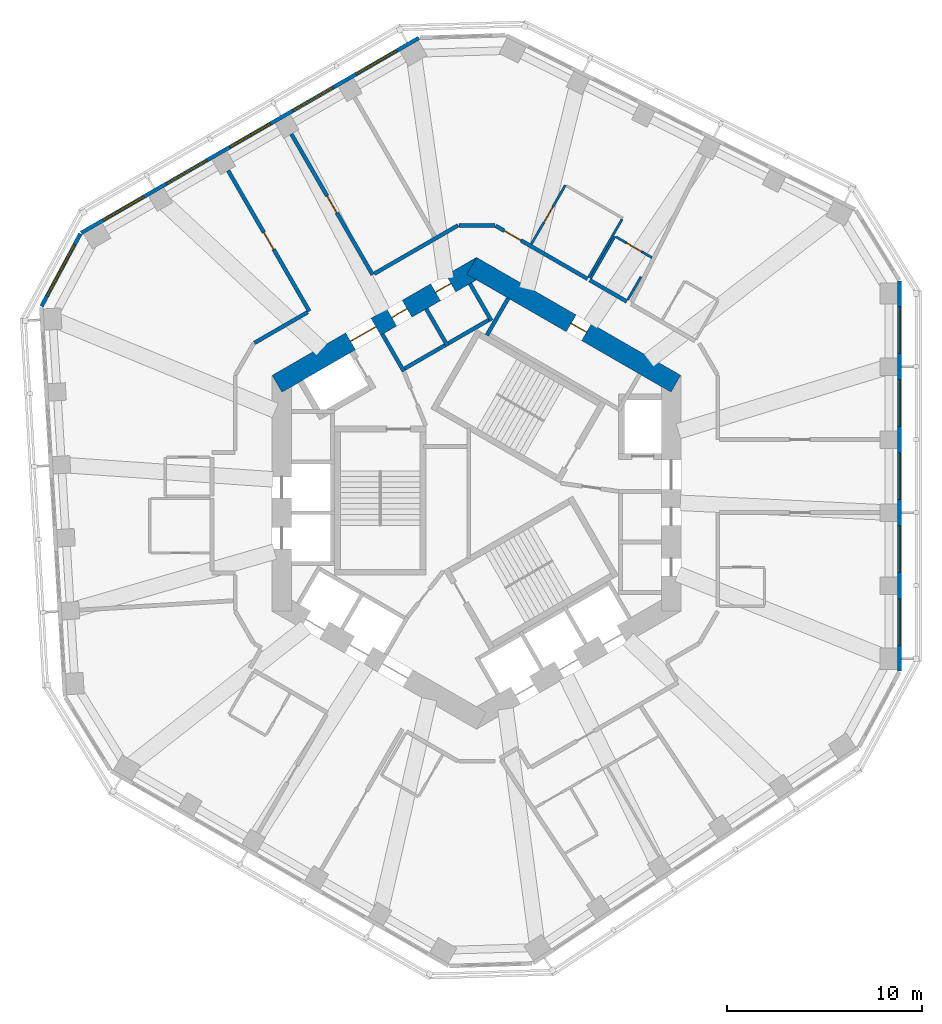
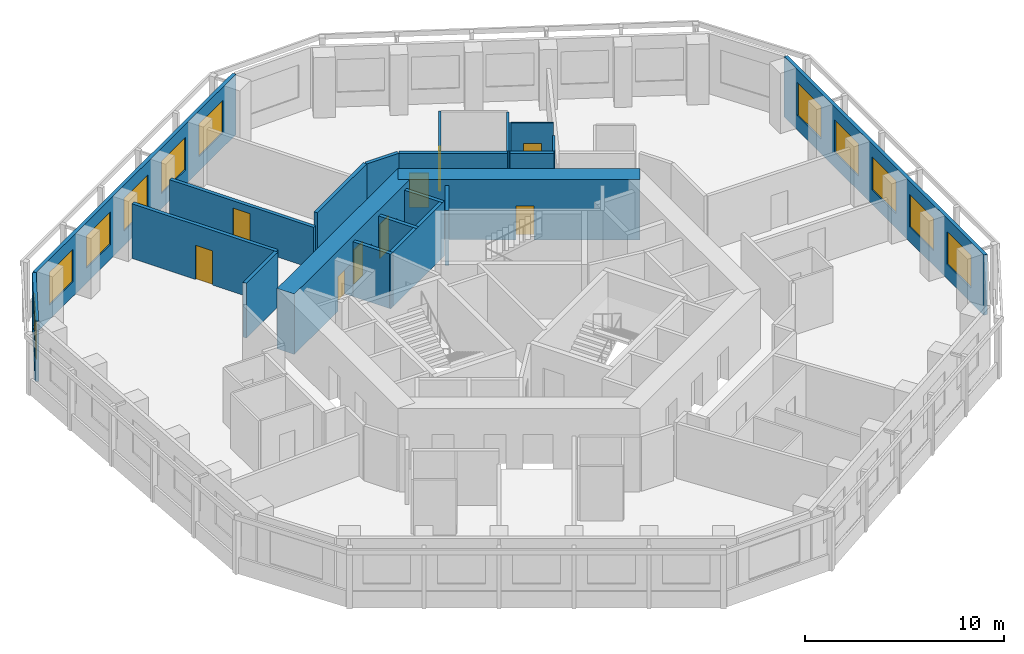
# One storey, part 7 of 11: 22 walls, 11 windows, 9 doors, 20 openings.
"""IFC4 building model written with IfcOpenShell, lengths in metres."""

from ifc_helpers import new_model, si_unit, direction, frame, frame_2d, origin, place, context, subcontext, project, spatial, rectangle, extrude, material, layer, layer_set, type_object, element, fill, save


model = new_model("IFC4")

# Units and contexts
model_context = context("Model", 3, precision=1e-05, world=origin(), true_north=direction((0.0, 1.0)))
body_context = subcontext(model_context, "Body", "Model", "MODEL_VIEW")
ifc_project = project(units=[si_unit("LENGTHUNIT", "METRE"), si_unit("AREAUNIT", "SQUARE_METRE"), si_unit("VOLUMEUNIT", "CUBIC_METRE"), si_unit("PLANEANGLEUNIT", "RADIAN"), si_unit("MASSUNIT", "GRAM", prefix="KILO")], contexts=[model_context])

# Site, building, storey
site_placement = place(None, origin())
site = spatial("IfcSite", under=ifc_project, at=site_placement, CompositionType="ELEMENT")
building_placement = place(site_placement, origin())
building = spatial("IfcBuilding", under=site, at=building_placement, Name="Vanh Sen Convention Tower", CompositionType="ELEMENT")
storey_placement = place(building_placement, frame((0.0, 0.0, 202.10009765625)))
storey = spatial("IfcBuildingStorey", under=building, at=storey_placement, Name="L50", CompositionType="ELEMENT", Elevation=202.10009765625)

# Wall, opening, door
ifc_material_1 = material(Name="Moisture-resistant gypsum board on steel studs", Category="steel")
ifc_layer_1 = layer(ifc_material_1, 0.1201171875)
ifc_layer_set_1 = layer_set([ifc_layer_1], Name="Moisture-resistant gypsum board on steel studs")
wall_type_1 = type_object("IfcWallType", Name="Bathroom partition 120", PredefinedType="PARTITIONING", material=ifc_layer_set_1)
wall_1_placement = place(storey_placement, frame((2.81884765625, 12.806396484375, 0.0), z_axis=(0.0, 0.0, 1.0), x_axis=(0.500010275428, 0.866019471182, 0.0)))
wall_1 = element("IfcWall", 1, at=wall_1_placement, inside=storey, type_object=wall_type_1, Name="Bathroom partition 120", PredefinedType="PARTITIONING", context=body_context, shape_type="SweptSolid", body=[
    extrude(rectangle(XDim=3.5, YDim=0.1201171875, at=frame_2d((1.75, 0.0))), origin(), (0.0, 0.0, 1.0), 3.349853515625),
])
opening_1_placement = place(wall_1_placement, frame((1.300048828125, 0.0, 0.0)))
opening_1 = element("IfcOpeningElement", 2, at=opening_1_placement, cuts=wall_1, Name="Opening D49105", PredefinedType="OPENING", context=body_context, shape_type="SweptSolid", body=[
    extrude(rectangle(XDim=0.89990234375, YDim=2.10009765625, at=frame_2d((0.449951171875, 1.050048828125))), frame((0.0, 0.070068359375, 0.0), z_axis=(0.0, -1.0, 0.0), x_axis=(1.0, 0.0, 0.0)), (0.0, 0.0, 1.0), 0.14013671875),
])
ifc_material_2 = material(Name="Laminate door in steel frame", Category="steel")
door_type_1 = type_object("IfcDoorType", Name="Room internal door 900", OperationType="SINGLE_SWING_LEFT", PredefinedType="DOOR", material=ifc_material_2)
door_1_placement = place(opening_1_placement, origin())
door_1 = element("IfcDoor", 3, at=door_1_placement, inside=storey, type_object=door_type_1, Name="Internal room door D49105", OperationType="SINGLE_SWING_LEFT", OverallHeight=2.10009765625, OverallWidth=0.89990234375, PredefinedType="DOOR", context=body_context, shape_type="SweptSolid", body=[
    extrude(rectangle(XDim=0.89990234375, YDim=2.10009765625, at=frame_2d((0.449951171875, 1.050048828125))), frame((0.0, 0.02490234375, 0.0), z_axis=(0.0, -1.0, 0.0), x_axis=(1.0, 0.0, 0.0)), (0.0, 0.0, 1.0), 0.050048828125),
])
fill(opening_1, door_1)

# Wall
wall_2_placement = place(storey_placement, frame((5.8671875, 11.04638671875, 0.0), z_axis=(0.0, 0.0, 1.0), x_axis=(0.500004234368, 0.866022959057, 0.0)))
element("IfcWall", 4, at=wall_2_placement, inside=storey, type_object=wall_type_1, Name="Bathroom partition 120", PredefinedType="PARTITIONING", context=body_context, shape_type="SweptSolid", body=[
    extrude(rectangle(XDim=2.5, YDim=0.1201171875, at=frame_2d((1.25, 0.0))), origin(), (0.0, 0.0, 1.0), 3.349853515625),
])

# Wall, opening, door
wall_3_placement = place(storey_placement, frame((7.169189453125, 13.181396484375, 0.0), z_axis=(0.0, 0.0, 1.0), x_axis=(0.866048165231, -0.499960573946, 0.0)))
wall_3 = element("IfcWall", 5, at=wall_3_placement, inside=storey, type_object=wall_type_1, Name="Bathroom partition 120", PredefinedType="PARTITIONING", context=body_context, shape_type="SweptSolid", body=[
    extrude(rectangle(XDim=2.130126953125, YDim=0.1201171875, at=frame_2d((1.06494140625, 0.0))), origin(), (0.0, 0.0, 1.0), 3.349853515625),
])
opening_2_placement = place(wall_3_placement, frame((0.614990234375, 0.0, 0.0)))
opening_2 = element("IfcOpeningElement", 6, at=opening_2_placement, cuts=wall_3, Name="Opening D49104", PredefinedType="OPENING", context=body_context, shape_type="SweptSolid", body=[
    extrude(rectangle(XDim=0.89990234375, YDim=2.10009765625, at=frame_2d((0.449951171875, 1.050048828125))), frame((0.0, 0.070068359375, 0.0), z_axis=(0.0, -1.0, 0.0), x_axis=(1.0, 0.0, 0.0)), (0.0, 0.0, 1.0), 0.14013671875),
])
door_2_placement = place(opening_2_placement, origin())
door_2 = element("IfcDoor", 7, at=door_2_placement, inside=storey, type_object=door_type_1, Name="Internal room door D49104", OperationType="SINGLE_SWING_LEFT", OverallHeight=2.10009765625, OverallWidth=0.89990234375, PredefinedType="DOOR", context=body_context, shape_type="SweptSolid", body=[
    extrude(rectangle(XDim=0.89990234375, YDim=2.10009765625, at=frame_2d((0.449951171875, 1.050048828125))), frame((0.0, 0.02490234375, 0.0), z_axis=(0.0, -1.0, 0.0), x_axis=(1.0, 0.0, 0.0)), (0.0, 0.0, 1.0), 0.050048828125),
])
fill(opening_2, door_2)

# Walls
wall_4_placement = place(storey_placement, frame((7.4833984375, 14.08544921875, 0.0), z_axis=(0.0, 0.0, 1.0), x_axis=(-0.499978425106, -0.866037859697, 0.0)))
element("IfcWall", 8, at=wall_4_placement, inside=storey, type_object=wall_type_1, Name="Bathroom partition 120", PredefinedType="PARTITIONING", context=body_context, shape_type="SweptSolid", body=[
    extrude(rectangle(XDim=3.440185546875, YDim=0.1201171875, at=frame_2d((1.72021484375, 0.0))), origin(), (0.0, 0.0, 1.0), 3.349853515625),
])
wall_5_placement = place(storey_placement, frame((8.45703125, 11.131591796875, 0.0), z_axis=(0.0, 0.0, 1.0), x_axis=(-0.500129009956, -0.865950907038, 0.0)))
element("IfcWall", 9, at=wall_5_placement, inside=storey, type_object=wall_type_1, Name="Bathroom partition 120", PredefinedType="PARTITIONING", context=body_context, shape_type="SweptSolid", body=[
    extrude(rectangle(XDim=1.368896484375, YDim=0.1201171875, at=frame_2d((0.6845703125, 0.0))), origin(), (0.0, 0.0, 1.0), 3.349853515625),
])

# Wall, opening, door
ifc_material_3 = material(Name="Concrete C80/95", Category="concrete")
ifc_layer_2 = layer(ifc_material_3, 1.0)
ifc_layer_set_2 = layer_set([ifc_layer_2], Name="Concrete C80/95")
wall_type_2 = type_object("IfcWallType", Name="Core outer wall 1000 C80/95", PredefinedType="SHEAR", material=ifc_layer_set_2)
wall_6_placement = place(storey_placement, frame((10.25, 5.629150390625, 0.0), z_axis=(0.0, 0.0, 1.0), x_axis=(-0.866022616891, 0.50000482701, 0.0)))
wall_6 = element("IfcWall", 10, at=wall_6_placement, inside=storey, type_object=wall_type_2, Name="Core wall face NE L50", PredefinedType="SHEAR", context=body_context, shape_type="SweptSolid", body=[
    extrude(rectangle(XDim=12.12451171875, YDim=1.0, at=frame_2d((6.062255859375, 0.0))), origin(), (0.0, 0.0, 1.0), 3.699951171875),
])
opening_3_placement = place(wall_6_placement, frame((5.312255859375, 0.0, 0.0)))
opening_3 = element("IfcOpeningElement", 11, at=opening_3_placement, cuts=wall_6, Name="Opening D49012", PredefinedType="OPENING", context=body_context, shape_type="SweptSolid", body=[
    extrude(rectangle(XDim=0.89990234375, YDim=2.10009765625, at=frame_2d((0.449951171875, 1.050048828125))), frame((0.0, 0.510009765625, 0.0), z_axis=(0.0, -1.0, 0.0), x_axis=(1.0, 0.0, 0.0)), (0.0, 0.0, 1.0), 1.02001953125),
])
ifc_material_4 = material(Name="Steel S355", Category="steel")
door_type_2 = type_object("IfcDoorType", Name="Plant door 900", OperationType="SINGLE_SWING_LEFT", PredefinedType="DOOR", material=ifc_material_4)
door_3_placement = place(opening_3_placement, origin())
door_3 = element("IfcDoor", 12, at=door_3_placement, inside=storey, type_object=door_type_2, Name="Plant door D49012", OperationType="SINGLE_SWING_LEFT", OverallHeight=2.10009765625, OverallWidth=0.89990234375, PredefinedType="DOOR", context=body_context, shape_type="SweptSolid", body=[
    extrude(rectangle(XDim=0.89990234375, YDim=2.10009765625, at=frame_2d((0.449951171875, 1.050048828125))), frame((0.0, 0.02490234375, 0.0), z_axis=(0.0, -1.0, 0.0), x_axis=(1.0, 0.0, 0.0)), (0.0, 0.0, 1.0), 0.050048828125),
])
fill(opening_3, door_3)

# Wall, openings, doors
wall_7_placement = place(storey_placement, frame((0.25, 11.69140625, 0.0), z_axis=(0.0, 0.0, 1.0), x_axis=(-0.866022616891, -0.50000482701, 0.0)))
wall_7 = element("IfcWall", 13, at=wall_7_placement, inside=storey, type_object=wall_type_2, Name="Core wall face NW L50", PredefinedType="SHEAR", context=body_context, shape_type="SweptSolid", body=[
    extrude(rectangle(XDim=12.12451171875, YDim=1.0, at=frame_2d((6.062255859375, 0.0))), origin(), (0.0, 0.0, 1.0), 3.699951171875),
])
opening_4_placement = place(wall_7_placement, frame((6.26220703125, 0.0, 0.0)))
opening_4 = element("IfcOpeningElement", 14, at=opening_4_placement, cuts=wall_7, Name="Opening D49002", PredefinedType="OPENING", context=body_context, shape_type="SweptSolid", body=[
    extrude(rectangle(XDim=1.5, YDim=2.10009765625, at=frame_2d((0.75, 1.050048828125))), frame((0.0, 0.510009765625, 0.0), z_axis=(0.0, -1.0, 0.0), x_axis=(1.0, 0.0, 0.0)), (0.0, 0.0, 1.0), 1.02001953125),
])
opening_5_placement = place(wall_7_placement, frame((1.812255859375, 0.0, 0.0)))
opening_5 = element("IfcOpeningElement", 15, at=opening_5_placement, cuts=wall_7, Name="Opening D49013", PredefinedType="OPENING", context=body_context, shape_type="SweptSolid", body=[
    extrude(rectangle(XDim=0.89990234375, YDim=2.10009765625, at=frame_2d((0.449951171875, 1.050048828125))), frame((0.0, 0.510009765625, 0.0), z_axis=(0.0, -1.0, 0.0), x_axis=(1.0, 0.0, 0.0)), (0.0, 0.0, 1.0), 1.02001953125),
])
opening_6_placement = place(wall_7_placement, frame((4.412109375, 0.0, 0.0)))
opening_6 = element("IfcOpeningElement", 16, at=opening_6_placement, cuts=wall_7, Name="Opening D49014", PredefinedType="OPENING", context=body_context, shape_type="SweptSolid", body=[
    extrude(rectangle(XDim=0.89990234375, YDim=2.10009765625, at=frame_2d((0.449951171875, 1.050048828125))), frame((0.0, 0.510009765625, 0.0), z_axis=(0.0, -1.0, 0.0), x_axis=(1.0, 0.0, 0.0)), (0.0, 0.0, 1.0), 1.02001953125),
])
door_4_placement = place(opening_5_placement, origin())
door_4 = element("IfcDoor", 17, at=door_4_placement, inside=storey, type_object=door_type_2, Name="Plant door D49013", OperationType="SINGLE_SWING_LEFT", OverallHeight=2.10009765625, OverallWidth=0.89990234375, PredefinedType="DOOR", context=body_context, shape_type="SweptSolid", body=[
    extrude(rectangle(XDim=0.89990234375, YDim=2.10009765625, at=frame_2d((0.449951171875, 1.050048828125))), frame((0.0, 0.02490234375, 0.0), z_axis=(0.0, -1.0, 0.0), x_axis=(1.0, 0.0, 0.0)), (0.0, 0.0, 1.0), 0.050048828125),
])
fill(opening_5, door_4)
door_5_placement = place(opening_6_placement, origin())
door_5 = element("IfcDoor", 18, at=door_5_placement, inside=storey, type_object=door_type_2, Name="Plant door D49014", OperationType="SINGLE_SWING_LEFT", OverallHeight=2.10009765625, OverallWidth=0.89990234375, PredefinedType="DOOR", context=body_context, shape_type="SweptSolid", body=[
    extrude(rectangle(XDim=0.89990234375, YDim=2.10009765625, at=frame_2d((0.449951171875, 1.050048828125))), frame((0.0, 0.02490234375, 0.0), z_axis=(0.0, -1.0, 0.0), x_axis=(1.0, 0.0, 0.0)), (0.0, 0.0, 1.0), 0.050048828125),
])
fill(opening_6, door_5)
door_type_3 = type_object("IfcDoorType", Name="Stair lobby door 1500", OperationType="DOUBLE_DOOR_SINGLE_SWING", PredefinedType="DOOR", material=ifc_material_4)
door_6_placement = place(opening_4_placement, origin())
door_6 = element("IfcDoor", 19, at=door_6_placement, inside=storey, type_object=door_type_3, Name="Stair lobby door D49002", OperationType="DOUBLE_DOOR_SINGLE_SWING", OverallHeight=2.10009765625, OverallWidth=1.5, PredefinedType="DOOR", context=body_context, shape_type="SweptSolid", body=[
    extrude(rectangle(XDim=1.5, YDim=2.10009765625, at=frame_2d((0.75, 1.050048828125))), frame((0.0, 0.02490234375, 0.0), z_axis=(0.0, -1.0, 0.0), x_axis=(1.0, 0.0, 0.0)), (0.0, 0.0, 1.0), 0.050048828125),
])
fill(opening_4, door_6)

# Wall, opening, door
ifc_material_5 = material(Name="Gypsum board on steel studs with mineral wool", Category="steel")
ifc_layer_3 = layer(ifc_material_5, 0.199951171875)
ifc_layer_set_3 = layer_set([ifc_layer_3], Name="Gypsum board on steel studs with mineral wool")
wall_type_3 = type_object("IfcWallType", Name="Corridor partition wall 200", PredefinedType="PARTITIONING", material=ifc_layer_set_3)
wall_8_placement = place(storey_placement, frame((-12.766357421875, 16.58935546875, 0.0), z_axis=(0.0, 0.0, 1.0), x_axis=(0.500010139422, -0.866019549707, 0.0)))
wall_8 = element("IfcWall", 20, at=wall_8_placement, inside=storey, type_object=wall_type_3, Name="Corridor partition wall 200", PredefinedType="PARTITIONING", context=body_context, shape_type="SweptSolid", body=[
    extrude(rectangle(XDim=8.349853515625, YDim=0.199951171875, at=frame_2d((4.1748046875, 0.0))), origin(), (0.0, 0.0, 1.0), 3.349853515625),
])
opening_7_placement = place(wall_8_placement, frame((3.675048828125, 0.0, 0.0)))
opening_7 = element("IfcOpeningElement", 21, at=opening_7_placement, cuts=wall_8, Name="Opening D49107", PredefinedType="OPENING", context=body_context, shape_type="SweptSolid", body=[
    extrude(rectangle(XDim=1.0, YDim=2.10009765625, at=frame_2d((0.5, 1.050048828125))), frame((0.0, 0.10986328125, 0.0), z_axis=(0.0, -1.0, 0.0), x_axis=(1.0, 0.0, 0.0)), (0.0, 0.0, 1.0), 0.219970703125),
])
ifc_material_6 = material(Name="Glazed fire door in steel frame", Category="steel")
door_type_4 = type_object("IfcDoorType", Name="Tenant entrance door 1000", OperationType="SINGLE_SWING_LEFT", PredefinedType="DOOR", material=ifc_material_6)
door_7_placement = place(opening_7_placement, origin())
door_7 = element("IfcDoor", 22, at=door_7_placement, inside=storey, type_object=door_type_4, Name="Tenant suite entrance door D49107", OperationType="SINGLE_SWING_LEFT", OverallHeight=2.10009765625, OverallWidth=1.0, PredefinedType="DOOR", context=body_context, shape_type="SweptSolid", body=[
    extrude(rectangle(XDim=1.0, YDim=2.10009765625, at=frame_2d((0.5, 1.050048828125))), frame((0.0, 0.02490234375, 0.0), z_axis=(0.0, -1.0, 0.0), x_axis=(1.0, 0.0, 0.0)), (0.0, 0.0, 1.0), 0.050048828125),
])
fill(opening_7, door_7)

wall_9_placement = place(storey_placement, frame((-9.51513671875, 18.46630859375, 0.0), z_axis=(0.0, 0.0, 1.0), x_axis=(0.500010139422, -0.866019549707, 0.0)))
wall_9 = element("IfcWall", 23, at=wall_9_placement, inside=storey, type_object=wall_type_3, Name="Corridor partition wall 200", PredefinedType="PARTITIONING", context=body_context, shape_type="SweptSolid", body=[
    extrude(rectangle(XDim=8.349853515625, YDim=0.199951171875, at=frame_2d((4.1748046875, 0.0))), origin(), (0.0, 0.0, 1.0), 2.5498046875),
])
opening_8_placement = place(wall_9_placement, frame((3.675048828125, 0.0, 0.0)))
opening_8 = element("IfcOpeningElement", 24, at=opening_8_placement, cuts=wall_9, Name="Opening D49106", PredefinedType="OPENING", context=body_context, shape_type="SweptSolid", body=[
    extrude(rectangle(XDim=1.0, YDim=2.10009765625, at=frame_2d((0.5, 1.050048828125))), frame((0.0, 0.10986328125, 0.0), z_axis=(0.0, -1.0, 0.0), x_axis=(1.0, 0.0, 0.0)), (0.0, 0.0, 1.0), 0.219970703125),
])
door_8_placement = place(opening_8_placement, origin())
door_8 = element("IfcDoor", 25, at=door_8_placement, inside=storey, type_object=door_type_4, Name="Tenant suite entrance door D49106", OperationType="SINGLE_SWING_LEFT", OverallHeight=2.10009765625, OverallWidth=1.0, PredefinedType="DOOR", context=body_context, shape_type="SweptSolid", body=[
    extrude(rectangle(XDim=1.0, YDim=2.10009765625, at=frame_2d((0.5, 1.050048828125))), frame((0.0, 0.02490234375, 0.0), z_axis=(0.0, -1.0, 0.0), x_axis=(1.0, 0.0, 0.0)), (0.0, 0.0, 1.0), 0.050048828125),
])
fill(opening_8, door_8)

# Walls
wall_10_placement = place(storey_placement, frame((-8.677978515625, 9.30810546875, 0.0), z_axis=(0.0, 0.0, 1.0), x_axis=(-0.866000359435, -0.500043375578, 0.0)))
element("IfcWall", 26, at=wall_10_placement, inside=storey, type_object=wall_type_3, Name="Corridor partition wall 200", PredefinedType="PARTITIONING", context=body_context, shape_type="SweptSolid", body=[
    extrude(rectangle(XDim=3.160888671875, YDim=0.199951171875, at=frame_2d((1.58056640625, 0.0))), origin(), (0.0, 0.0, 1.0), 3.349853515625),
])
wall_11_placement = place(storey_placement, frame((-0.949951171875, 13.769775390625, 0.0), z_axis=(0.0, 0.0, 1.0), x_axis=(-0.866036689987, -0.499980451214, 0.0)))
element("IfcWall", 27, at=wall_11_placement, inside=storey, type_object=wall_type_3, Name="Corridor partition wall 200", PredefinedType="PARTITIONING", context=body_context, shape_type="SweptSolid", body=[
    extrude(rectangle(XDim=4.969482421875, YDim=0.199951171875, at=frame_2d((2.48486328125, 0.0))), origin(), (0.0, 0.0, 1.0), 3.349853515625),
])
wall_12_placement = place(storey_placement, frame((0.949951171875, 13.769775390625, 0.0), z_axis=(0.0, 0.0, 1.0), x_axis=(-1.0, 0.0, 0.0)))
element("IfcWall", 28, at=wall_12_placement, inside=storey, type_object=wall_type_3, Name="Corridor partition wall 200", PredefinedType="PARTITIONING", context=body_context, shape_type="SweptSolid", body=[
    extrude(rectangle(XDim=1.85986328125, YDim=0.199951171875, at=frame_2d((0.929931640625, 0.0))), origin(), (0.0, 0.0, 1.0), 3.349853515625),
])

# Wall, opening, door
wall_13_placement = place(storey_placement, frame((5.71337890625, 11.019775390625, 0.0), z_axis=(0.0, 0.0, 1.0), x_axis=(-0.866038905227, 0.499976614087, 0.0)))
wall_13 = element("IfcWall", 29, at=wall_13_placement, inside=storey, type_object=wall_type_3, Name="Corridor partition wall 200", PredefinedType="PARTITIONING", context=body_context, shape_type="SweptSolid", body=[
    extrude(rectangle(XDim=5.460205078125, YDim=0.199951171875, at=frame_2d((2.72998046875, 0.0))), origin(), (0.0, 0.0, 1.0), 3.349853515625),
])
opening_9_placement = place(wall_13_placement, frame((3.955078125, 0.0, 0.0)))
opening_9 = element("IfcOpeningElement", 30, at=opening_9_placement, cuts=wall_13, Name="Opening D49103", PredefinedType="OPENING", context=body_context, shape_type="SweptSolid", body=[
    extrude(rectangle(XDim=1.0, YDim=2.10009765625, at=frame_2d((0.5, 1.050048828125))), frame((0.0, 0.10986328125, 0.0), z_axis=(0.0, -1.0, 0.0), x_axis=(1.0, 0.0, 0.0)), (0.0, 0.0, 1.0), 0.219970703125),
])
door_9_placement = place(opening_9_placement, origin())
door_9 = element("IfcDoor", 31, at=door_9_placement, inside=storey, type_object=door_type_4, Name="Tenant suite entrance door D49103", OperationType="SINGLE_SWING_LEFT", OverallHeight=2.10009765625, OverallWidth=1.0, PredefinedType="DOOR", context=body_context, shape_type="SweptSolid", body=[
    extrude(rectangle(XDim=1.0, YDim=2.10009765625, at=frame_2d((0.5, 1.050048828125))), frame((0.0, 0.02490234375, 0.0), z_axis=(0.0, -1.0, 0.0), x_axis=(1.0, 0.0, 0.0)), (0.0, 0.0, 1.0), 0.050048828125),
])
fill(opening_9, door_9)

# Wall
wall_14_placement = place(storey_placement, frame((7.722412109375, 9.859619140625, 0.0), z_axis=(0.0, 0.0, 1.0), x_axis=(-0.86598042715, 0.500077893725, 0.0)))
element("IfcWall", 32, at=wall_14_placement, inside=storey, type_object=wall_type_3, Name="Corridor partition wall 200", PredefinedType="PARTITIONING", context=body_context, shape_type="SweptSolid", body=[
    extrude(rectangle(XDim=2.199951171875, YDim=0.199951171875, at=frame_2d((1.10009765625, 0.0))), origin(), (0.0, 0.0, 1.0), 3.349853515625),
])

# Wall, openings, windows
ifc_material_7 = material(Name="Insulated lightweight infill wall")
ifc_layer_4 = layer(ifc_material_7, 0.199951171875)
ifc_layer_set_4 = layer_set([ifc_layer_4], Name="Insulated lightweight infill wall")
wall_type_4 = type_object("IfcWallType", Name="External wall 200", PredefinedType="STANDARD", material=ifc_layer_set_4)
wall_15_placement = place(storey_placement, frame((21.75, -9.138427734375, 0.0), z_axis=(0.0, 0.0, 1.0), x_axis=(0.0, 1.0, 0.0)))
wall_15 = element("IfcWall", 33, at=wall_15_placement, inside=storey, type_object=wall_type_4, Name="External wall E L50", PredefinedType="STANDARD", context=body_context, shape_type="SweptSolid", body=[
    extrude(rectangle(XDim=20.043701171875, YDim=0.199951171875, at=frame_2d((10.02197265625, 0.0))), origin(), (0.0, 0.0, 1.0), 3.699951171875),
])
opening_10_placement = place(wall_15_placement, frame((1.314453125, 0.0, 0.89990234375)))
opening_10 = element("IfcOpeningElement", 34, at=opening_10_placement, cuts=wall_15, Name="Opening WO1-E1", PredefinedType="OPENING", context=body_context, shape_type="SweptSolid", body=[
    extrude(rectangle(XDim=2.39990234375, YDim=2.0, at=frame_2d((1.199951171875, 1.0))), frame((0.0, 0.10986328125, 0.0), z_axis=(0.0, -1.0, 0.0), x_axis=(1.0, 0.0, 0.0)), (0.0, 0.0, 1.0), 0.219970703125),
])
opening_11_placement = place(wall_15_placement, frame((5.068603515625, 0.0, 0.89990234375)))
opening_11 = element("IfcOpeningElement", 35, at=opening_11_placement, cuts=wall_15, Name="Opening WO1-E2", PredefinedType="OPENING", context=body_context, shape_type="SweptSolid", body=[
    extrude(rectangle(XDim=2.39990234375, YDim=2.0, at=frame_2d((1.199951171875, 1.0))), frame((0.0, 0.10986328125, 0.0), z_axis=(0.0, -1.0, 0.0), x_axis=(1.0, 0.0, 0.0)), (0.0, 0.0, 1.0), 0.219970703125),
])
opening_12_placement = place(wall_15_placement, frame((8.82275390625, 0.0, 0.89990234375)))
opening_12 = element("IfcOpeningElement", 36, at=opening_12_placement, cuts=wall_15, Name="Opening WO1-E3", PredefinedType="OPENING", context=body_context, shape_type="SweptSolid", body=[
    extrude(rectangle(XDim=2.39990234375, YDim=2.0, at=frame_2d((1.199951171875, 1.0))), frame((0.0, 0.10986328125, 0.0), z_axis=(0.0, -1.0, 0.0), x_axis=(1.0, 0.0, 0.0)), (0.0, 0.0, 1.0), 0.219970703125),
])
opening_13_placement = place(wall_15_placement, frame((12.576904296875, 0.0, 0.89990234375)))
opening_13 = element("IfcOpeningElement", 37, at=opening_13_placement, cuts=wall_15, Name="Opening WO1-E4", PredefinedType="OPENING", context=body_context, shape_type="SweptSolid", body=[
    extrude(rectangle(XDim=2.39990234375, YDim=2.0, at=frame_2d((1.199951171875, 1.0))), frame((0.0, 0.10986328125, 0.0), z_axis=(0.0, -1.0, 0.0), x_axis=(1.0, 0.0, 0.0)), (0.0, 0.0, 1.0), 0.219970703125),
])
opening_14_placement = place(wall_15_placement, frame((16.330810546875, 0.0, 0.89990234375)))
opening_14 = element("IfcOpeningElement", 38, at=opening_14_placement, cuts=wall_15, Name="Opening WO1-E5", PredefinedType="OPENING", context=body_context, shape_type="SweptSolid", body=[
    extrude(rectangle(XDim=2.39990234375, YDim=2.0, at=frame_2d((1.199951171875, 1.0))), frame((0.0, 0.10986328125, 0.0), z_axis=(0.0, -1.0, 0.0), x_axis=(1.0, 0.0, 0.0)), (0.0, 0.0, 1.0), 0.219970703125),
])
ifc_material_8 = material(Name="Aluminium frame with clear low-emissivity glass", Category="aluminium")
window_type_1 = type_object("IfcWindowType", Name="Office window 2400 x 2000", PartitioningType="SINGLE_PANEL", PredefinedType="WINDOW", material=ifc_material_8)
window_1_placement = place(opening_10_placement, origin())
window_1 = element("IfcWindow", 39, at=window_1_placement, inside=storey, type_object=window_type_1, Name="Window WO1-E1", OverallHeight=2.0, OverallWidth=2.39990234375, PartitioningType="SINGLE_PANEL", PredefinedType="WINDOW", context=body_context, shape_type="SweptSolid", body=[
    extrude(rectangle(XDim=2.39990234375, YDim=2.0, at=frame_2d((1.199951171875, 1.0))), frame((0.0, 0.030029296875, 0.0), z_axis=(0.0, -1.0, 0.0), x_axis=(1.0, 0.0, 0.0)), (0.0, 0.0, 1.0), 0.06005859375),
])
fill(opening_10, window_1)
window_2_placement = place(opening_11_placement, origin())
window_2 = element("IfcWindow", 40, at=window_2_placement, inside=storey, type_object=window_type_1, Name="Window WO1-E2", OverallHeight=2.0, OverallWidth=2.39990234375, PartitioningType="SINGLE_PANEL", PredefinedType="WINDOW", context=body_context, shape_type="SweptSolid", body=[
    extrude(rectangle(XDim=2.39990234375, YDim=2.0, at=frame_2d((1.199951171875, 1.0))), frame((0.0, 0.030029296875, 0.0), z_axis=(0.0, -1.0, 0.0), x_axis=(1.0, 0.0, 0.0)), (0.0, 0.0, 1.0), 0.06005859375),
])
fill(opening_11, window_2)
window_3_placement = place(opening_12_placement, origin())
window_3 = element("IfcWindow", 41, at=window_3_placement, inside=storey, type_object=window_type_1, Name="Window WO1-E3", OverallHeight=2.0, OverallWidth=2.39990234375, PartitioningType="SINGLE_PANEL", PredefinedType="WINDOW", context=body_context, shape_type="SweptSolid", body=[
    extrude(rectangle(XDim=2.39990234375, YDim=2.0, at=frame_2d((1.199951171875, 1.0))), frame((0.0, 0.030029296875, 0.0), z_axis=(0.0, -1.0, 0.0), x_axis=(1.0, 0.0, 0.0)), (0.0, 0.0, 1.0), 0.06005859375),
])
fill(opening_12, window_3)
window_4_placement = place(opening_13_placement, origin())
window_4 = element("IfcWindow", 42, at=window_4_placement, inside=storey, type_object=window_type_1, Name="Window WO1-E4", OverallHeight=2.0, OverallWidth=2.39990234375, PartitioningType="SINGLE_PANEL", PredefinedType="WINDOW", context=body_context, shape_type="SweptSolid", body=[
    extrude(rectangle(XDim=2.39990234375, YDim=2.0, at=frame_2d((1.199951171875, 1.0))), frame((0.0, 0.030029296875, 0.0), z_axis=(0.0, -1.0, 0.0), x_axis=(1.0, 0.0, 0.0)), (0.0, 0.0, 1.0), 0.06005859375),
])
fill(opening_13, window_4)
window_5_placement = place(opening_14_placement, origin())
window_5 = element("IfcWindow", 43, at=window_5_placement, inside=storey, type_object=window_type_1, Name="Window WO1-E5", OverallHeight=2.0, OverallWidth=2.39990234375, PartitioningType="SINGLE_PANEL", PredefinedType="WINDOW", context=body_context, shape_type="SweptSolid", body=[
    extrude(rectangle(XDim=2.39990234375, YDim=2.0, at=frame_2d((1.199951171875, 1.0))), frame((0.0, 0.030029296875, 0.0), z_axis=(0.0, -1.0, 0.0), x_axis=(1.0, 0.0, 0.0)), (0.0, 0.0, 1.0), 0.06005859375),
])
fill(opening_14, window_5)

wall_16_placement = place(storey_placement, frame((-2.9609375, 23.4052734375, 0.0), z_axis=(0.0, 0.0, 1.0), x_axis=(-0.866023315909, -0.500003616288, 0.0)))
wall_16 = element("IfcWall", 44, at=wall_16_placement, inside=storey, type_object=wall_type_4, Name="External wall NW L50", PredefinedType="STANDARD", context=body_context, shape_type="SweptSolid", body=[
    extrude(rectangle(XDim=20.043701171875, YDim=0.199951171875, at=frame_2d((10.02197265625, 0.0))), origin(), (0.0, 0.0, 1.0), 3.699951171875),
])
opening_15_placement = place(wall_16_placement, frame((1.314453125, 0.0, 0.89990234375)))
opening_15 = element("IfcOpeningElement", 45, at=opening_15_placement, cuts=wall_16, Name="Opening WO1-NW1", PredefinedType="OPENING", context=body_context, shape_type="SweptSolid", body=[
    extrude(rectangle(XDim=2.39990234375, YDim=2.0, at=frame_2d((1.199951171875, 1.0))), frame((0.0, 0.10986328125, 0.0), z_axis=(0.0, -1.0, 0.0), x_axis=(1.0, 0.0, 0.0)), (0.0, 0.0, 1.0), 0.219970703125),
])
opening_16_placement = place(wall_16_placement, frame((5.068603515625, 0.0, 0.89990234375)))
opening_16 = element("IfcOpeningElement", 46, at=opening_16_placement, cuts=wall_16, Name="Opening WO1-NW2", PredefinedType="OPENING", context=body_context, shape_type="SweptSolid", body=[
    extrude(rectangle(XDim=2.39990234375, YDim=2.0, at=frame_2d((1.199951171875, 1.0))), frame((0.0, 0.10986328125, 0.0), z_axis=(0.0, -1.0, 0.0), x_axis=(1.0, 0.0, 0.0)), (0.0, 0.0, 1.0), 0.219970703125),
])
opening_17_placement = place(wall_16_placement, frame((8.82275390625, 0.0, 0.89990234375)))
opening_17 = element("IfcOpeningElement", 47, at=opening_17_placement, cuts=wall_16, Name="Opening WO1-NW3", PredefinedType="OPENING", context=body_context, shape_type="SweptSolid", body=[
    extrude(rectangle(XDim=2.39990234375, YDim=2.0, at=frame_2d((1.199951171875, 1.0))), frame((0.0, 0.10986328125, 0.0), z_axis=(0.0, -1.0, 0.0), x_axis=(1.0, 0.0, 0.0)), (0.0, 0.0, 1.0), 0.219970703125),
])
opening_18_placement = place(wall_16_placement, frame((12.576904296875, 0.0, 0.89990234375)))
opening_18 = element("IfcOpeningElement", 48, at=opening_18_placement, cuts=wall_16, Name="Opening WO1-NW4", PredefinedType="OPENING", context=body_context, shape_type="SweptSolid", body=[
    extrude(rectangle(XDim=2.39990234375, YDim=2.0, at=frame_2d((1.199951171875, 1.0))), frame((0.0, 0.10986328125, 0.0), z_axis=(0.0, -1.0, 0.0), x_axis=(1.0, 0.0, 0.0)), (0.0, 0.0, 1.0), 0.219970703125),
])
opening_19_placement = place(wall_16_placement, frame((16.330810546875, 0.0, 0.89990234375)))
opening_19 = element("IfcOpeningElement", 49, at=opening_19_placement, cuts=wall_16, Name="Opening WO1-NW5", PredefinedType="OPENING", context=body_context, shape_type="SweptSolid", body=[
    extrude(rectangle(XDim=2.39990234375, YDim=2.0, at=frame_2d((1.199951171875, 1.0))), frame((0.0, 0.10986328125, 0.0), z_axis=(0.0, -1.0, 0.0), x_axis=(1.0, 0.0, 0.0)), (0.0, 0.0, 1.0), 0.219970703125),
])
window_6_placement = place(opening_15_placement, origin())
window_6 = element("IfcWindow", 50, at=window_6_placement, inside=storey, type_object=window_type_1, Name="Window WO1-NW1", OverallHeight=2.0, OverallWidth=2.39990234375, PartitioningType="SINGLE_PANEL", PredefinedType="WINDOW", context=body_context, shape_type="SweptSolid", body=[
    extrude(rectangle(XDim=2.39990234375, YDim=2.0, at=frame_2d((1.199951171875, 1.0))), frame((0.0, 0.030029296875, 0.0), z_axis=(0.0, -1.0, 0.0), x_axis=(1.0, 0.0, 0.0)), (0.0, 0.0, 1.0), 0.06005859375),
])
fill(opening_15, window_6)
window_7_placement = place(opening_16_placement, origin())
window_7 = element("IfcWindow", 51, at=window_7_placement, inside=storey, type_object=window_type_1, Name="Window WO1-NW2", OverallHeight=2.0, OverallWidth=2.39990234375, PartitioningType="SINGLE_PANEL", PredefinedType="WINDOW", context=body_context, shape_type="SweptSolid", body=[
    extrude(rectangle(XDim=2.39990234375, YDim=2.0, at=frame_2d((1.199951171875, 1.0))), frame((0.0, 0.030029296875, 0.0), z_axis=(0.0, -1.0, 0.0), x_axis=(1.0, 0.0, 0.0)), (0.0, 0.0, 1.0), 0.06005859375),
])
fill(opening_16, window_7)
window_8_placement = place(opening_17_placement, origin())
window_8 = element("IfcWindow", 52, at=window_8_placement, inside=storey, type_object=window_type_1, Name="Window WO1-NW3", OverallHeight=2.0, OverallWidth=2.39990234375, PartitioningType="SINGLE_PANEL", PredefinedType="WINDOW", context=body_context, shape_type="SweptSolid", body=[
    extrude(rectangle(XDim=2.39990234375, YDim=2.0, at=frame_2d((1.199951171875, 1.0))), frame((0.0, 0.030029296875, 0.0), z_axis=(0.0, -1.0, 0.0), x_axis=(1.0, 0.0, 0.0)), (0.0, 0.0, 1.0), 0.06005859375),
])
fill(opening_17, window_8)
window_9_placement = place(opening_18_placement, origin())
window_9 = element("IfcWindow", 53, at=window_9_placement, inside=storey, type_object=window_type_1, Name="Window WO1-NW4", OverallHeight=2.0, OverallWidth=2.39990234375, PartitioningType="SINGLE_PANEL", PredefinedType="WINDOW", context=body_context, shape_type="SweptSolid", body=[
    extrude(rectangle(XDim=2.39990234375, YDim=2.0, at=frame_2d((1.199951171875, 1.0))), frame((0.0, 0.030029296875, 0.0), z_axis=(0.0, -1.0, 0.0), x_axis=(1.0, 0.0, 0.0)), (0.0, 0.0, 1.0), 0.06005859375),
])
fill(opening_18, window_9)
window_10_placement = place(opening_19_placement, origin())
window_10 = element("IfcWindow", 54, at=window_10_placement, inside=storey, type_object=window_type_1, Name="Window WO1-NW5", OverallHeight=2.0, OverallWidth=2.39990234375, PartitioningType="SINGLE_PANEL", PredefinedType="WINDOW", context=body_context, shape_type="SweptSolid", body=[
    extrude(rectangle(XDim=2.39990234375, YDim=2.0, at=frame_2d((1.199951171875, 1.0))), frame((0.0, 0.030029296875, 0.0), z_axis=(0.0, -1.0, 0.0), x_axis=(1.0, 0.0, 0.0)), (0.0, 0.0, 1.0), 0.06005859375),
])
fill(opening_19, window_10)

# Wall, opening, window
wall_17_placement = place(storey_placement, frame((-20.357421875, 13.343994140625, 0.0), z_axis=(0.0, 0.0, 1.0), x_axis=(-0.473288913494, -0.880907262068, 0.0)))
wall_17 = element("IfcWall", 55, at=wall_17_placement, inside=storey, type_object=wall_type_4, Name="External wall CH3 L50", PredefinedType="STANDARD", context=body_context, shape_type="SweptSolid", body=[
    extrude(rectangle(XDim=4.238037109375, YDim=0.199951171875, at=frame_2d((2.119140625, 0.0))), origin(), (0.0, 0.0, 1.0), 3.699951171875),
])
opening_20_placement = place(wall_17_placement, frame((0.619140625, 0.0, 0.89990234375)))
opening_20 = element("IfcOpeningElement", 56, at=opening_20_placement, cuts=wall_17, Name="Opening WO2-CH31", PredefinedType="OPENING", context=body_context, shape_type="SweptSolid", body=[
    extrude(rectangle(XDim=3.0, YDim=2.0, at=frame_2d((1.5, 1.0))), frame((0.0, 0.10986328125, 0.0), z_axis=(0.0, -1.0, 0.0), x_axis=(1.0, 0.0, 0.0)), (0.0, 0.0, 1.0), 0.219970703125),
])
window_type_2 = type_object("IfcWindowType", Name="Office window 3000 x 2000", PartitioningType="SINGLE_PANEL", PredefinedType="WINDOW", material=ifc_material_8)
window_11_placement = place(opening_20_placement, origin())
window_11 = element("IfcWindow", 57, at=window_11_placement, inside=storey, type_object=window_type_2, Name="Window WO2-CH31", OverallHeight=2.0, OverallWidth=3.0, PartitioningType="SINGLE_PANEL", PredefinedType="WINDOW", context=body_context, shape_type="SweptSolid", body=[
    extrude(rectangle(XDim=3.0, YDim=2.0, at=frame_2d((1.5, 1.0))), frame((0.0, 0.030029296875, 0.0), z_axis=(0.0, -1.0, 0.0), x_axis=(1.0, 0.0, 0.0)), (0.0, 0.0, 1.0), 0.06005859375),
])
fill(opening_20, window_11)

# Walls
ifc_material_9 = material(Name="Concrete C40/50", Category="concrete")
ifc_layer_5 = layer(ifc_material_9, 0.199951171875)
ifc_layer_set_5 = layer_set([ifc_layer_5], Name="Concrete C40/50")
wall_type_5 = type_object("IfcWallType", Name="Lift shaft wall 200", PredefinedType="PARTITIONING", material=ifc_layer_set_5)
wall_18_placement = place(storey_placement, frame((0.5322265625, 8.1220703125, 0.0), z_axis=(0.0, 0.0, 1.0), x_axis=(0.500077893725, 0.86598042715, 0.0)))
element("IfcWall", 58, at=wall_18_placement, inside=storey, type_object=wall_type_5, Name="Lift shaft wall L50", PredefinedType="PARTITIONING", context=body_context, shape_type="SweptSolid", body=[
    extrude(rectangle(XDim=2.199951171875, YDim=0.199951171875, at=frame_2d((1.10009765625, 0.0))), origin(), (0.0, 0.0, 1.0), 3.349853515625),
])
wall_19_placement = place(storey_placement, frame((0.80322265625, 9.008544921875, 0.0), z_axis=(0.0, 0.0, 1.0), x_axis=(-0.866028230842, -0.499995103361, 0.0)))
element("IfcWall", 59, at=wall_19_placement, inside=storey, type_object=wall_type_5, Name="Lift shaft wall L50", PredefinedType="PARTITIONING", context=body_context, shape_type="SweptSolid", body=[
    extrude(rectangle(XDim=5.39990234375, YDim=0.199951171875, at=frame_2d((2.699951171875, 0.0))), origin(), (0.0, 0.0, 1.0), 3.349853515625),
])
wall_20_placement = place(storey_placement, frame((0.7666015625, 8.8720703125, 0.0), z_axis=(0.0, 0.0, 1.0), x_axis=(-0.499994660107, 0.866028486751, 0.0)))
element("IfcWall", 60, at=wall_20_placement, inside=storey, type_object=wall_type_5, Name="Lift shaft wall L50", PredefinedType="PARTITIONING", context=body_context, shape_type="SweptSolid", body=[
    extrude(rectangle(XDim=2.19970703125, YDim=0.199951171875, at=frame_2d((1.099853515625, 0.0))), origin(), (0.0, 0.0, 1.0), 3.349853515625),
])
for number, where, z_axis, x_axis, name in (
    (61, (-1.48486328125, 7.572021484375, 0.0), (0.0, 0.0, 1.0), (-0.50002983664, 0.866008176907, 0.0), "Lift shaft wall L50"),
    (62, (-3.736572265625, 6.27197265625, 0.0), (0.0, 0.0, 1.0), (-0.50002983664, 0.866008176907, 0.0), "Lift shaft wall L50"),
):
    element("IfcWall", number, at=place(storey_placement, frame(where, z_axis=z_axis, x_axis=x_axis)), inside=storey, type_object=wall_type_5, Name=name, PredefinedType="PARTITIONING", context=body_context, shape_type="SweptSolid", body=[
        extrude(rectangle(XDim=2.199951171875, YDim=0.199951171875, at=frame_2d((1.10009765625, 0.0))), origin(), (0.0, 0.0, 1.0), 3.349853515625),
    ])

save(model, "model.ifc")
